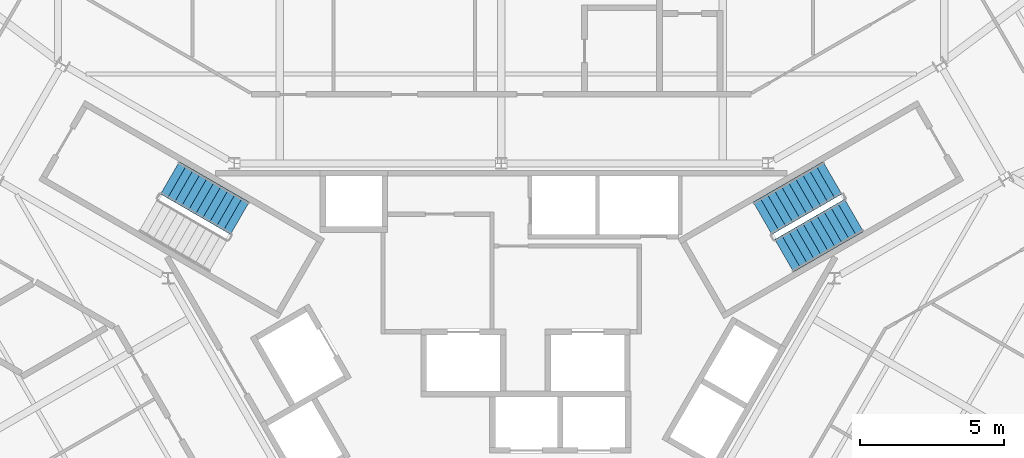
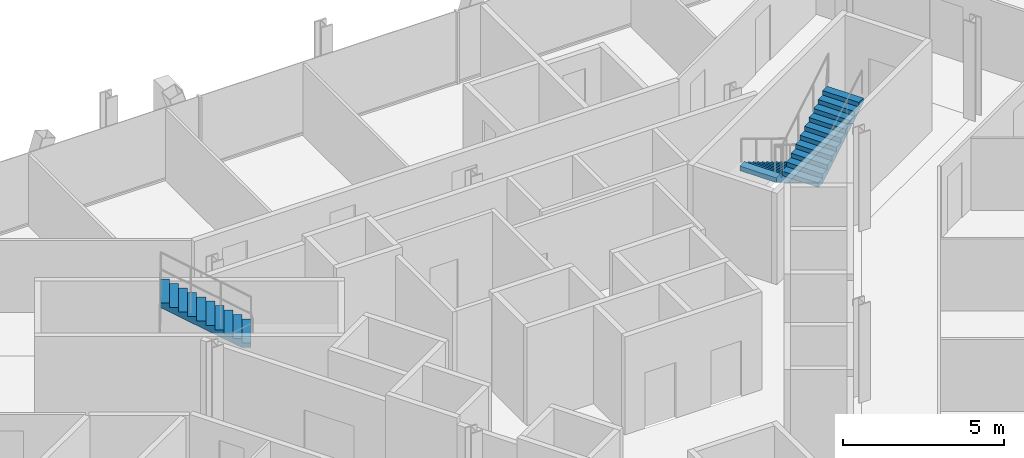
# One storey, part 11 of 13: 3 stair flights, 2 elements without a shape of their own.
"""IFC4 building model written with IfcOpenShell, lengths in metres."""

from ifc_helpers import new_model, si_unit, direction, frame, origin, place, context, subcontext, project, spatial, polyline, outline, extrude, material, type_object, element, aggregate, save


model = new_model("IFC4")

# Units and contexts
model_context = context("Model", 3, precision=1e-05, world=origin(), true_north=direction((0.0, 1.0)))
body_context = subcontext(model_context, "Body", "Model", "MODEL_VIEW")
ifc_project = project(units=[si_unit("LENGTHUNIT", "METRE"), si_unit("AREAUNIT", "SQUARE_METRE"), si_unit("VOLUMEUNIT", "CUBIC_METRE"), si_unit("PLANEANGLEUNIT", "RADIAN"), si_unit("MASSUNIT", "GRAM", prefix="KILO")], contexts=[model_context])

# Site, building, storey
site_placement = place(None, origin())
site = spatial("IfcSite", under=ifc_project, at=site_placement, CompositionType="ELEMENT")
building_placement = place(site_placement, origin())
building = spatial("IfcBuilding", under=site, at=building_placement, Name="Verrane Prism Tower", CompositionType="ELEMENT")
storey_placement = place(building_placement, frame((0.0, 0.0, 163.60009765625)))
storey = spatial("IfcBuildingStorey", under=building, at=storey_placement, Name="L40", CompositionType="ELEMENT", Elevation=163.60009765625)

# Stair, stair flights
ifc_material_1 = material(Name="Concrete C40/50", Category="concrete")
stair_type = type_object("IfcStairType", Name="Exit stair 1300 dog-leg precast concrete C40/50", PredefinedType="HALF_TURN_STAIR", material=ifc_material_1)
stair_1_placement = place(storey_placement, origin())
stair_1 = element("IfcStair", 1, at=stair_1_placement, inside=storey, type_object=stair_type, Name="Stair 1 L40", PredefinedType="HALF_TURN_STAIR")
ifc_material_2 = material(Name="Concrete C40/50", Category="concrete")
stair_flight_type = type_object("IfcStairFlightType", Name="Stair flight 1300 precast concrete C40/50", PredefinedType="STRAIGHT", material=ifc_material_2)
stair_flight_1_placement = place(storey_placement, frame((11.489501953125, 7.49951171875, 0.0), z_axis=(0.0, 0.0, 1.0), x_axis=(-0.866025403784, -0.5, 0.0)))
stair_flight_1 = element("IfcStairFlight", 2, at=stair_flight_1_placement, type_object=stair_flight_type, Name="Stair 1 flight 1", NumberOfRisers=11, NumberOfTreads=10, PredefinedType="STRAIGHT", RiserHeight=0.168181818, TreadLength=0.28, context=body_context, shape_type="SweptSolid", body=[
    extrude(outline(polyline([(0.0, 0.0), (0.0, 0.168212890625), (0.280029296875, 0.168212890625), (0.280029296875, 0.33642578125), (0.56005859375, 0.33642578125), (0.56005859375, 0.504638671875), (0.840087890625, 0.504638671875), (0.840087890625, 0.672607421875), (1.1201171875, 0.672607421875), (1.1201171875, 0.8408203125), (1.39990234375, 0.8408203125), (1.39990234375, 1.009033203125), (1.679931640625, 1.009033203125), (1.679931640625, 1.17724609375), (1.9599609375, 1.17724609375), (1.9599609375, 1.345458984375), (2.239990234375, 1.345458984375), (2.239990234375, 1.513671875), (2.52001953125, 1.513671875), (2.52001953125, 1.681884765625), (2.800048828125, 1.681884765625), (2.800048828125, 1.85009765625), (2.800048828125, 1.5068359375), (0.291015625, 0.0), (0.0, 0.0)])), frame((0.0, 0.64990234375, 0.0), z_axis=(0.0, -1.0, 0.0), x_axis=(1.0, 0.0, 0.0)), (0.0, 0.0, 1.0), 1.300048828125),
])
stair_flight_2_placement = place(storey_placement, frame((9.814697265625, 4.800537109375, 1.849853515625), z_axis=(0.0, 0.0, 1.0), x_axis=(0.866025403784, 0.5, 0.0)))
stair_flight_2 = element("IfcStairFlight", 3, at=stair_flight_2_placement, type_object=stair_flight_type, Name="Stair 1 flight 2", NumberOfRisers=11, NumberOfTreads=10, PredefinedType="STRAIGHT", RiserHeight=0.168181818, TreadLength=0.28, context=body_context, shape_type="SweptSolid", body=[
    extrude(outline(polyline([(0.0, 0.0), (0.0, 0.168212890625), (0.280029296875, 0.168212890625), (0.280029296875, 0.33642578125), (0.56005859375, 0.33642578125), (0.56005859375, 0.504638671875), (0.840087890625, 0.504638671875), (0.840087890625, 0.672607421875), (1.1201171875, 0.672607421875), (1.1201171875, 0.8408203125), (1.39990234375, 0.8408203125), (1.39990234375, 1.009033203125), (1.679931640625, 1.009033203125), (1.679931640625, 1.17724609375), (1.9599609375, 1.17724609375), (1.9599609375, 1.345458984375), (2.239990234375, 1.345458984375), (2.239990234375, 1.513671875), (2.52001953125, 1.513671875), (2.52001953125, 1.681884765625), (2.800048828125, 1.681884765625), (2.800048828125, 1.85009765625), (2.800048828125, 1.5068359375), (0.291015625, 0.0), (0.0, 0.0)])), frame((0.0, 0.64990234375, 0.0), z_axis=(0.0, -1.0, 0.0), x_axis=(1.0, 0.0, 0.0)), (0.0, 0.0, 1.0), 1.300048828125),
])
aggregate(stair_1, [stair_flight_1, stair_flight_2])

# Stair, stair flight
stair_2_placement = place(storey_placement, origin())
stair_2 = element("IfcStair", 4, at=stair_2_placement, inside=storey, type_object=stair_type, Name="Stair 2 L40", PredefinedType="HALF_TURN_STAIR")
stair_flight_3_placement = place(storey_placement, frame((-9.064697265625, 6.099609375, 1.849853515625), z_axis=(0.0, 0.0, 1.0), x_axis=(-0.866025403784, 0.5, 0.0)))
stair_flight_3 = element("IfcStairFlight", 5, at=stair_flight_3_placement, type_object=stair_flight_type, Name="Stair 2 flight 2", NumberOfRisers=11, NumberOfTreads=10, PredefinedType="STRAIGHT", RiserHeight=0.168181818, TreadLength=0.28, context=body_context, shape_type="SweptSolid", body=[
    extrude(outline(polyline([(0.0, 0.0), (0.0, 0.168212890625), (0.280029296875, 0.168212890625), (0.280029296875, 0.33642578125), (0.56005859375, 0.33642578125), (0.56005859375, 0.504638671875), (0.840087890625, 0.504638671875), (0.840087890625, 0.672607421875), (1.1201171875, 0.672607421875), (1.1201171875, 0.8408203125), (1.39990234375, 0.8408203125), (1.39990234375, 1.009033203125), (1.679931640625, 1.009033203125), (1.679931640625, 1.17724609375), (1.9599609375, 1.17724609375), (1.9599609375, 1.345458984375), (2.239990234375, 1.345458984375), (2.239990234375, 1.513671875), (2.52001953125, 1.513671875), (2.52001953125, 1.681884765625), (2.800048828125, 1.681884765625), (2.800048828125, 1.85009765625), (2.800048828125, 1.5068359375), (0.291015625, 0.0), (0.0, 0.0)])), frame((0.0, 0.64990234375, 0.0), z_axis=(0.0, -1.0, 0.0), x_axis=(1.0, 0.0, 0.0)), (0.0, 0.0, 1.0), 1.300048828125),
])
aggregate(stair_2, [stair_flight_3])

save(model, "model.ifc")
